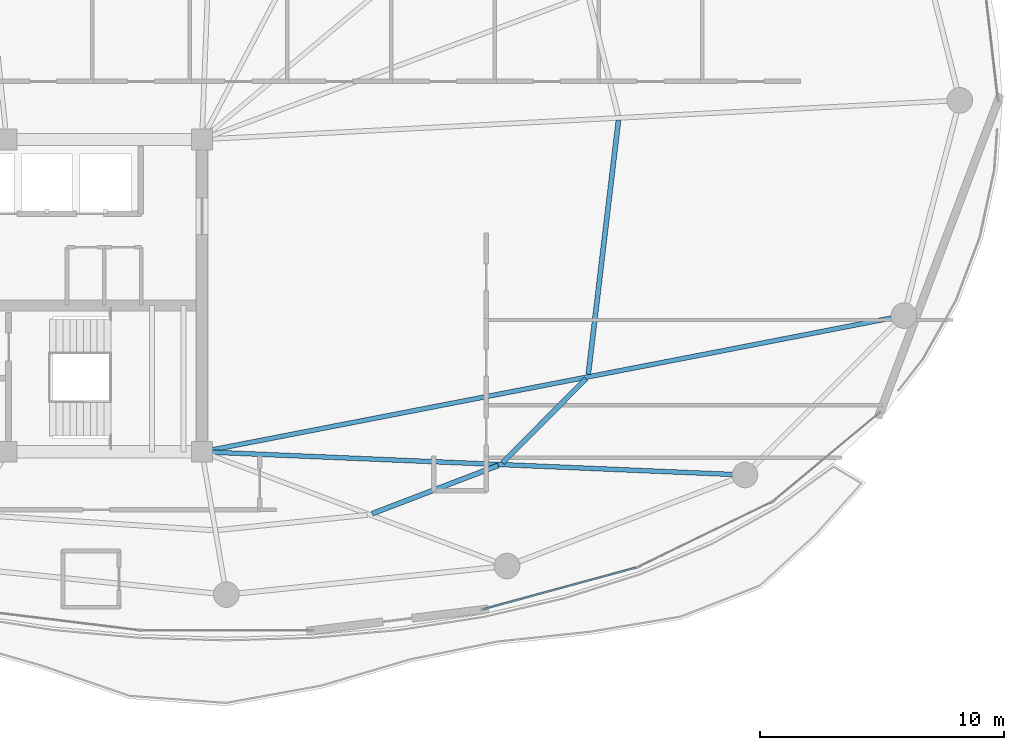
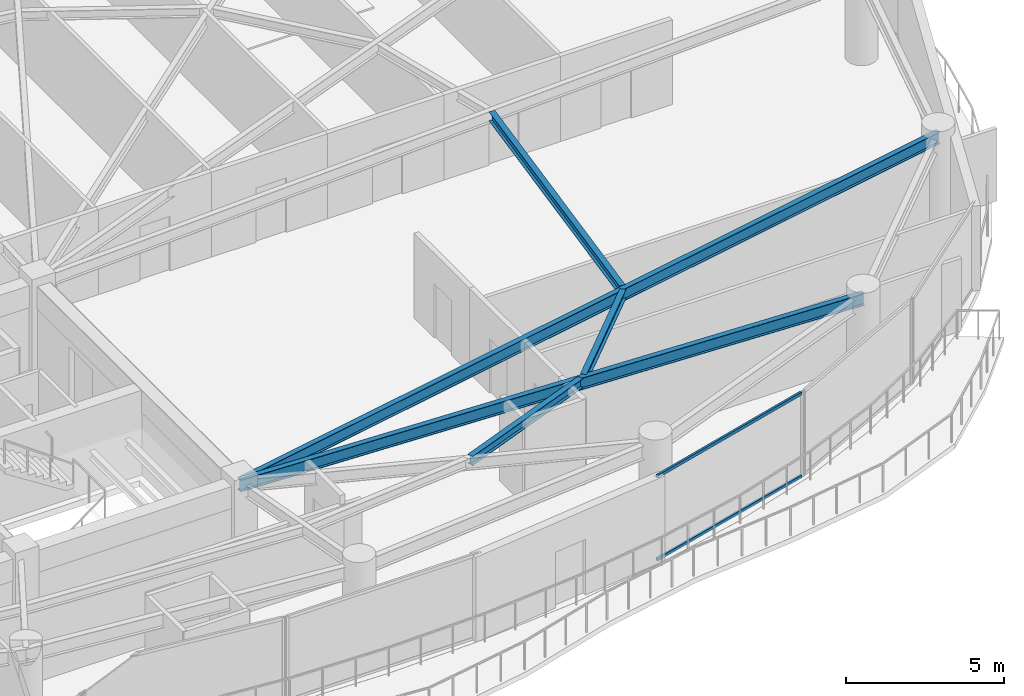
# One storey, part 12 of 31: 5 beams, 2 members, 1 element without a shape of its own.
"""IFC4 building model written with IfcOpenShell, lengths in metres."""

from ifc_helpers import new_model, si_unit, direction, frame, origin, origin_2d, place, context, subcontext, project, spatial, hollow_rectangle, i_section, extrude, material, layer, layer_set, material_profile, profile_set, type_object, element, aggregate, save


model = new_model("IFC4")

# Units and contexts
model_context = context("Model", 3, precision=1e-05, world=origin(), true_north=direction((0.0, 1.0)))
body_context = subcontext(model_context, "Body", "Model", "MODEL_VIEW")
ifc_project = project(units=[si_unit("LENGTHUNIT", "METRE"), si_unit("AREAUNIT", "SQUARE_METRE"), si_unit("VOLUMEUNIT", "CUBIC_METRE"), si_unit("PLANEANGLEUNIT", "RADIAN"), si_unit("MASSUNIT", "GRAM", prefix="KILO")], contexts=[model_context])

# Site, building, storey
site_placement = place(None, origin())
site = spatial("IfcSite", under=ifc_project, at=site_placement, CompositionType="ELEMENT")
building_placement = place(site_placement, origin())
building = spatial("IfcBuilding", under=site, at=building_placement, Name="Kazevale Care Tower and Concert Hall", CompositionType="ELEMENT")
storey_placement = place(building_placement, frame((0.0, 0.0, 187.199951171875)))
storey = spatial("IfcBuildingStorey", under=building, at=storey_placement, Name="L49", CompositionType="ELEMENT", Elevation=187.199951171875)

# Curtain wall, members
ifc_material_1 = material(Name="Aluminium 6063-T6 and Low-E Glass", Category="aluminium")
ifc_layer = layer(ifc_material_1, 0.179931640625)
ifc_layer_set = layer_set([ifc_layer], Name="Aluminium 6063-T6 and Low-E Glass")
curtain_wall_type = type_object("IfcCurtainWallType", Name="Sheltered Concave Balcony Curtain Wall CW-5", PredefinedType="NOTDEFINED", material=ifc_layer_set)
curtain_wall_placement = place(storey_placement, origin())
curtain_wall = element("IfcCurtainWall", 1, at=curtain_wall_placement, inside=storey, type_object=curtain_wall_type, Name="cw:L49:f04", PredefinedType="NOTDEFINED")
ifc_material_2 = material(Name="Aluminium 6063-T6", Category="aluminium")
ifc_material_profile_1 = material_profile(ifc_material_2, hollow_rectangle(XDim=0.074951171875, YDim=0.1201171875, WallThickness=0.00390625, at=origin_2d()), Name="ALU75x120x4")
ifc_profile_set_1 = profile_set([ifc_material_profile_1], Name="Aluminium 6063-T6")
member_type = type_object("IfcMemberType", Name="CW-5 Transom ALU75x120x4", PredefinedType="USERDEFINED", material=ifc_profile_set_1)
member_1_placement = place(storey_placement, frame((61.78369140625, 18.853271484375, 0.03759765625), z_axis=(-0.964843890632, -0.262823641842, 0.0), x_axis=(0.262823641842, -0.964843890632, 0.0)))
member_1 = element("IfcMember", 2, at=member_1_placement, type_object=member_type, Name="CW-5 transom 1.1", ObjectType="TRANSOM", PredefinedType="USERDEFINED", context=body_context, shape_type="SweptSolid", body=[
    extrude(hollow_rectangle(XDim=0.074951171875, YDim=0.1201171875, WallThickness=0.00390625, at=origin_2d()), origin(), (0.0, 0.0, 1.0), 6.469970703125),
])
member_2_placement = place(storey_placement, frame((61.78369140625, 18.853271484375, 3.242431640625), z_axis=(-0.964843890632, -0.262823641842, 0.0), x_axis=(0.262823641842, -0.964843890632, 0.0)))
member_2 = element("IfcMember", 3, at=member_2_placement, type_object=member_type, Name="CW-5 transom 1.2", ObjectType="TRANSOM", PredefinedType="USERDEFINED", context=body_context, shape_type="SweptSolid", body=[
    extrude(hollow_rectangle(XDim=0.074951171875, YDim=0.1201171875, WallThickness=0.00390625, at=origin_2d()), origin(), (0.0, 0.0, 1.0), 6.469970703125),
])
aggregate(curtain_wall, [member_1, member_2])

# Beams
ifc_material_3 = material(Name="Steel ASTM A572 Gr 50", Category="steel")
ifc_material_profile_2 = material_profile(ifc_material_3, i_section(OverallWidth=0.19091796875, OverallDepth=0.4599609375, WebThickness=0.010009765625, FlangeThickness=0.01611328125, at=origin_2d()), Name="W460x82")
ifc_profile_set_2 = profile_set([ifc_material_profile_2], Name="Steel ASTM A572 Gr 50")
beam_type_1 = type_object("IfcBeamType", Name="Radial Floor Beam W460x82", PredefinedType="BEAM", material=ifc_profile_set_2)
beam_1_placement = place(storey_placement, frame((44.0, 23.60009765625, 3.050048828125), z_axis=(0.999089369477, -0.042666518456, 0.0), x_axis=(0.042666518456, 0.999089369477, 0.0)))
element("IfcBeam", 4, at=beam_1_placement, inside=storey, type_object=beam_type_1, Name="beam:L49:rad:15", PredefinedType="BEAM", context=body_context, shape_type="SweptSolid", body=[
    extrude(i_section(OverallWidth=0.19091796875, OverallDepth=0.4599609375, WebThickness=0.010009765625, FlangeThickness=0.01611328125, at=origin_2d()), origin(), (0.0, 0.0, 1.0), 22.270263671875),
])
beam_2_placement = place(storey_placement, frame((44.0, 23.60009765625, 3.050048828125), z_axis=(0.981694544574, 0.190462125247, 0.0), x_axis=(-0.190462125247, 0.981694544574, 0.0)))
element("IfcBeam", 5, at=beam_2_placement, inside=storey, type_object=beam_type_1, Name="beam:L49:rad:16", PredefinedType="BEAM", context=body_context, shape_type="SweptSolid", body=[
    extrude(i_section(OverallWidth=0.19091796875, OverallDepth=0.4599609375, WebThickness=0.010009765625, FlangeThickness=0.01611328125, at=origin_2d()), origin(), (0.0, 0.0, 1.0), 29.29638671875),
])
ifc_material_profile_3 = material_profile(ifc_material_3, i_section(OverallWidth=0.205078125, OverallDepth=0.35400390625, WebThickness=0.009521484375, FlangeThickness=0.016845703125, at=origin_2d()), Name="W360x79")
ifc_profile_set_3 = profile_set([ifc_material_profile_3], Name="Steel ASTM A572 Gr 50")
beam_type_2 = type_object("IfcBeamType", Name="Secondary Floor Joist W360x79", PredefinedType="JOIST", material=ifc_profile_set_3)
beam_3_placement = place(storey_placement, frame((50.972900390625, 21.06396484375, 3.10302734375), z_axis=(0.934001589337, 0.35726884991, 0.0), x_axis=(-0.35726884991, 0.934001589337, 0.0)))
element("IfcBeam", 6, at=beam_3_placement, inside=storey, type_object=beam_type_2, Name="beam:L49:joist:14", PredefinedType="JOIST", context=body_context, shape_type="SweptSolid", body=[
    extrude(i_section(OverallWidth=0.205078125, OverallDepth=0.35400390625, WebThickness=0.009521484375, FlangeThickness=0.016845703125, at=origin_2d()), origin(), (0.0, 0.0, 1.0), 5.531005859375),
])
beam_4_placement = place(storey_placement, frame((56.31201171875, 23.152099609375, 3.10302734375), z_axis=(0.705975874919, 0.708235881633, 0.0), x_axis=(-0.708235881633, 0.705975874919, 0.0)))
element("IfcBeam", 7, at=beam_4_placement, inside=storey, type_object=beam_type_2, Name="beam:L49:joist:15", PredefinedType="JOIST", context=body_context, shape_type="SweptSolid", body=[
    extrude(i_section(OverallWidth=0.205078125, OverallDepth=0.35400390625, WebThickness=0.009521484375, FlangeThickness=0.016845703125, at=origin_2d()), origin(), (0.0, 0.0, 1.0), 4.861083984375),
])
beam_5_placement = place(storey_placement, frame((59.830078125, 26.77294921875, 3.10302734375), z_axis=(0.117874218468, 0.993028533639, 0.0), x_axis=(-0.993028533639, 0.117874218468, 0.0)))
element("IfcBeam", 8, at=beam_5_placement, inside=storey, type_object=beam_type_2, Name="beam:L49:joist:16", PredefinedType="JOIST", context=body_context, shape_type="SweptSolid", body=[
    extrude(i_section(OverallWidth=0.205078125, OverallDepth=0.35400390625, WebThickness=0.009521484375, FlangeThickness=0.016845703125, at=origin_2d()), origin(), (0.0, 0.0, 1.0), 10.47607421875),
])

save(model, "model.ifc")
